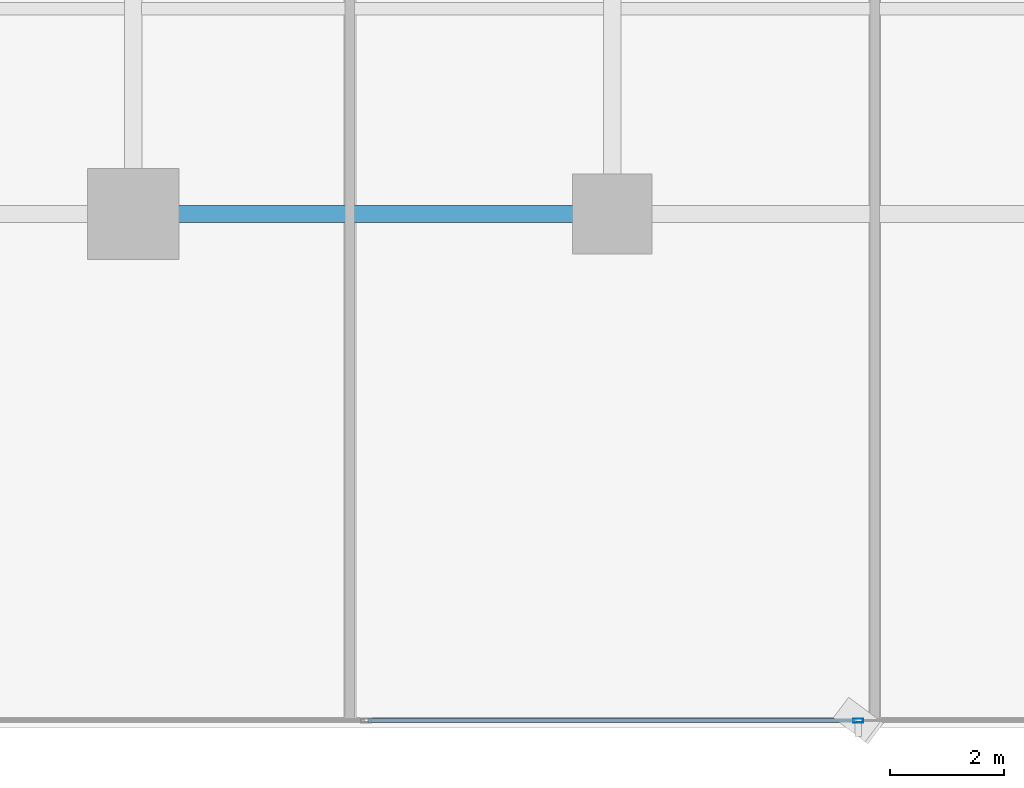
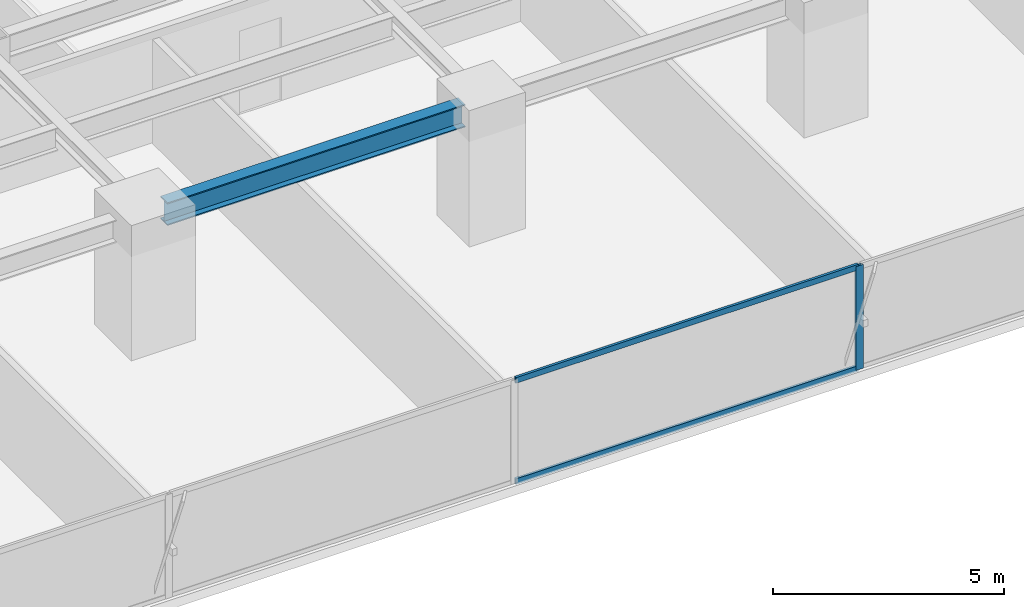
# One storey, part 5 of 33: 3 members, 1 beam, 1 element without a shape of its own.
"""IFC4 building model written with IfcOpenShell, lengths in metres."""

from ifc_helpers import new_model, si_unit, direction, frame, origin, origin_2d, place, context, subcontext, project, spatial, hollow_rectangle, i_section, extrude, source, transform, mapped, material, layer, layer_set, material_profile, profile_set, type_object, element, aggregate, save


model = new_model("IFC4")

# Units and contexts
model_context = context("Model", 3, precision=1e-05, world=origin(), true_north=direction((0.0, 1.0)))
body_context = subcontext(model_context, "Body", "Model", "MODEL_VIEW")
ifc_project = project(units=[si_unit("LENGTHUNIT", "METRE"), si_unit("AREAUNIT", "SQUARE_METRE"), si_unit("VOLUMEUNIT", "CUBIC_METRE"), si_unit("PLANEANGLEUNIT", "RADIAN"), si_unit("MASSUNIT", "GRAM", prefix="KILO")], contexts=[model_context])

# Site, building, storey
site_placement = place(None, origin())
site = spatial("IfcSite", under=ifc_project, at=site_placement, CompositionType="ELEMENT")
building_placement = place(site_placement, origin())
building = spatial("IfcBuilding", under=site, at=building_placement, Name="Sumidabori Civic Tower", CompositionType="ELEMENT")
storey_placement = place(building_placement, frame((0.0, 0.0, 59.60009765625)))
storey = spatial("IfcBuildingStorey", under=building, at=storey_placement, Name="L15", CompositionType="ELEMENT", Elevation=59.60009765625)

# Beam
ifc_material_1 = material(Name="Steel SN490", Category="steel")
ifc_material_profile_1 = material_profile(ifc_material_1, i_section(OverallWidth=0.300048828125, OverallDepth=0.60009765625, WebThickness=0.015380859375, FlangeThickness=0.030029296875, at=origin_2d()), Name="HE 600 B")
ifc_profile_set_1 = profile_set([ifc_material_profile_1], Name="Steel SN490")
beam_type = type_object("IfcBeamType", Name="BM-GIRD-600", PredefinedType="BEAM", material=ifc_profile_set_1)
shared_shape_1 = source(origin(), body_context, "Body", "SweptSolid", [
    extrude(i_section(OverallWidth=0.300048828125, OverallDepth=0.60009765625, WebThickness=0.015380859375, FlangeThickness=0.030029296875, at=origin_2d()), origin(), (0.0, 0.0, 1.0), 7.43994140625),
])
beam_placement = place(storey_placement, frame((-7.919921875, -18.0, 3.059814453125), z_axis=(1.0, 0.0, 0.0), x_axis=(0.0, 1.0, 0.0)))
element("IfcBeam", 1, at=beam_placement, inside=storey, type_object=beam_type, Name="Primary Girder L15 GX-03", PredefinedType="BEAM", context=body_context, shape_type="MappedRepresentation", body=[
    mapped(shared_shape_1, transform((0.0, 0.0, 0.0), x_axis=(1.0, 0.0, 0.0), y_axis=(0.0, 1.0, 0.0), z_axis=(0.0, 0.0, 1.0), scale=1.0)),
])

# Curtain wall, members
ifc_material_2 = material(Name="Anodised Bronze Aluminium AW-6063-T6", Category="aluminium")
ifc_layer = layer(ifc_material_2, 0.179931640625, Name="Anodised Bronze Aluminium AW-6063-T6")
ifc_layer_set = layer_set([ifc_layer], Name="Anodised Bronze Aluminium AW-6063-T6")
curtain_wall_type = type_object("IfcCurtainWallType", Name="CW-SYS-2", PredefinedType="NOTDEFINED", material=ifc_layer_set)
curtain_wall_placement = place(storey_placement, origin())
curtain_wall = element("IfcCurtainWall", 2, at=curtain_wall_placement, inside=storey, type_object=curtain_wall_type, Name="Curtain Wall CW:L15:R01", PredefinedType="NOTDEFINED")
ifc_material_profile_2 = material_profile(ifc_material_2, hollow_rectangle(XDim=0.070068359375, YDim=0.179931640625, WallThickness=0.006103515625, at=origin_2d()), Name="ALU MULLION 180x70")
ifc_profile_set_2 = profile_set([ifc_material_profile_2], Name="Anodised Bronze Aluminium AW-6063-T6")
member_type_1 = type_object("IfcMemberType", Name="CW-MUL-180", PredefinedType="MULLION", material=ifc_profile_set_2)
shared_shape_2 = source(origin(), body_context, "Body", "SweptSolid", [
    extrude(hollow_rectangle(XDim=0.070068359375, YDim=0.179931640625, WallThickness=0.006103515625, at=origin_2d()), origin(), (0.0, 0.0, 1.0), 2.739990234375),
])
member_1_placement = place(storey_placement, frame((4.31396484375, -26.8798828125, 0.0), z_axis=(0.0, 0.0, 1.0), x_axis=(0.0, 1.0, 0.0)))
member_1 = element("IfcMember", 3, at=member_1_placement, type_object=member_type_1, Name="CW-2 mullion 4", PredefinedType="MULLION", context=body_context, shape_type="MappedRepresentation", body=[
    mapped(shared_shape_2, transform((0.0, 0.0, 0.0), x_axis=(1.0, 0.0, 0.0), y_axis=(0.0, 1.0, 0.0), z_axis=(0.0, 0.0, 1.0), scale=1.0)),
])
ifc_material_profile_3 = material_profile(ifc_material_2, hollow_rectangle(XDim=0.06494140625, YDim=0.14990234375, WallThickness=0.0048828125, at=origin_2d()), Name="ALU TRANSOM 150x65")
ifc_profile_set_3 = profile_set([ifc_material_profile_3], Name="Anodised Bronze Aluminium AW-6063-T6")
member_type_2 = type_object("IfcMemberType", Name="CW-TRN-150", PredefinedType="USERDEFINED", material=ifc_profile_set_3)
shared_shape_3 = source(origin(), body_context, "Body", "SweptSolid", [
    extrude(hollow_rectangle(XDim=0.06494140625, YDim=0.14990234375, WallThickness=0.0048828125, at=origin_2d()), origin(), (0.0, 0.0, 1.0), 8.55810546875),
])
member_2_placement = place(storey_placement, frame((-4.279052734375, -26.8798828125, 0.032470703125), z_axis=(1.0, 0.0, 0.0), x_axis=(0.0, 1.0, 0.0)))
member_2 = element("IfcMember", 4, at=member_2_placement, type_object=member_type_2, Name="CW-2 transom 3.1", ObjectType="TRANSOM", PredefinedType="USERDEFINED", context=body_context, shape_type="MappedRepresentation", body=[
    mapped(shared_shape_3, transform((0.0, 0.0, 0.0), x_axis=(1.0, 0.0, 0.0), y_axis=(0.0, 1.0, 0.0), z_axis=(0.0, 0.0, 1.0), scale=1.0)),
])
member_3_placement = place(storey_placement, frame((-4.279052734375, -26.8798828125, 2.70751953125), z_axis=(1.0, 0.0, 0.0), x_axis=(0.0, 1.0, 0.0)))
member_3 = element("IfcMember", 5, at=member_3_placement, type_object=member_type_2, Name="CW-2 transom 3.2", ObjectType="TRANSOM", PredefinedType="USERDEFINED", context=body_context, shape_type="MappedRepresentation", body=[
    mapped(shared_shape_3, transform((0.0, 0.0, 0.0), x_axis=(1.0, 0.0, 0.0), y_axis=(0.0, 1.0, 0.0), z_axis=(0.0, 0.0, 1.0), scale=1.0)),
])
aggregate(curtain_wall, [member_1, member_2, member_3])

save(model, "model.ifc")
